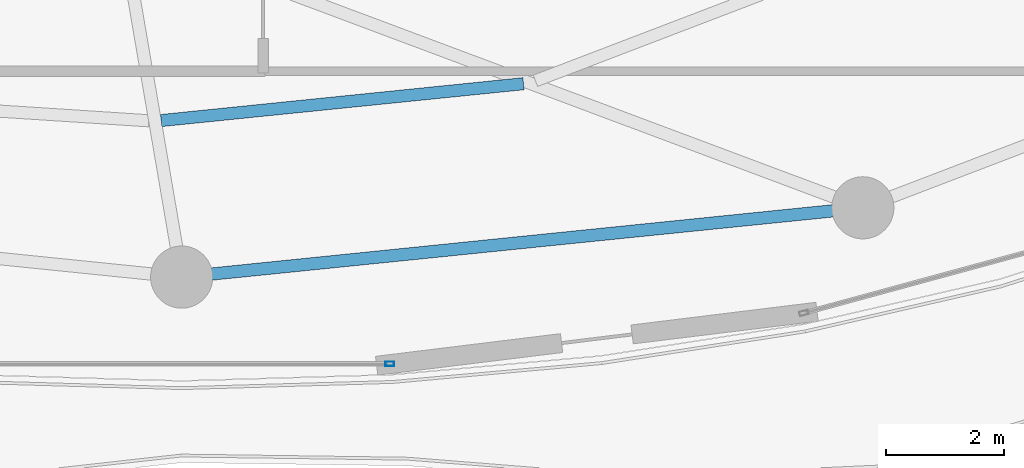
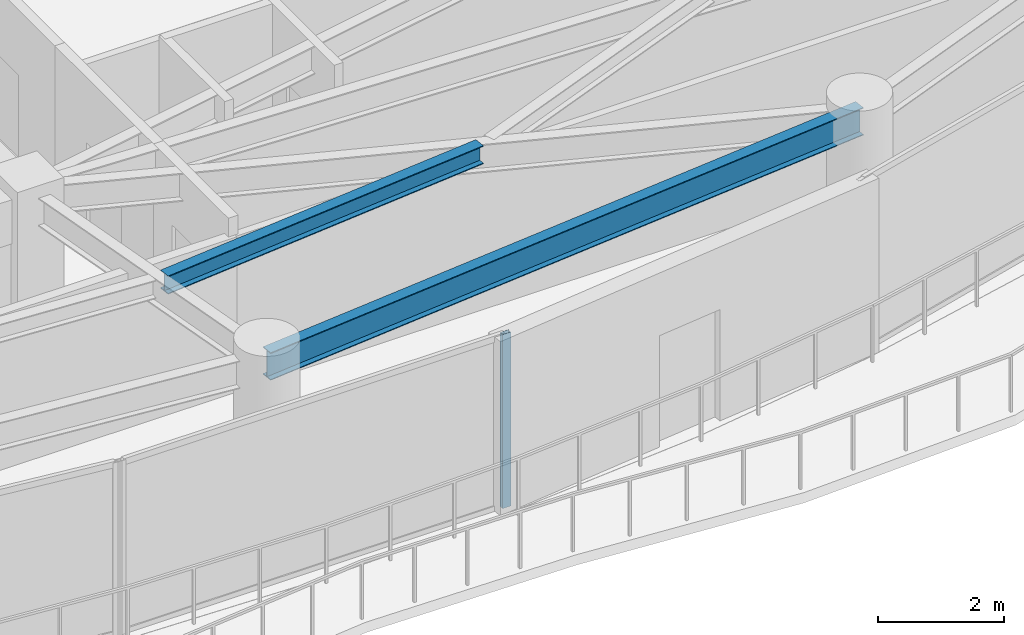
# One storey, part 9 of 29: 2 beams, 1 member, 1 element without a shape of its own.
"""IFC4 building model written with IfcOpenShell, lengths in metres."""

from ifc_helpers import new_model, si_unit, direction, frame, origin, origin_2d, place, context, subcontext, project, spatial, hollow_rectangle, i_section, extrude, material, layer, layer_set, material_profile, profile_set, type_object, element, aggregate, save


model = new_model("IFC4")

# Units and contexts
model_context = context("Model", 3, precision=1e-05, world=origin(), true_north=direction((0.0, 1.0)))
body_context = subcontext(model_context, "Body", "Model", "MODEL_VIEW")
ifc_project = project(units=[si_unit("LENGTHUNIT", "METRE"), si_unit("AREAUNIT", "SQUARE_METRE"), si_unit("VOLUMEUNIT", "CUBIC_METRE"), si_unit("PLANEANGLEUNIT", "RADIAN"), si_unit("MASSUNIT", "GRAM", prefix="KILO")], contexts=[model_context])

# Site, building, storey
site_placement = place(None, origin())
site = spatial("IfcSite", under=ifc_project, at=site_placement, CompositionType="ELEMENT")
building_placement = place(site_placement, origin())
building = spatial("IfcBuilding", under=site, at=building_placement, Name="Kazevale Care Tower and Concert Hall", CompositionType="ELEMENT")
storey_placement = place(building_placement, frame((0.0, 0.0, 213.60009765625)))
storey = spatial("IfcBuildingStorey", under=building, at=storey_placement, Name="L56", CompositionType="ELEMENT", Elevation=213.60009765625)

# Curtain wall, member
ifc_material_1 = material(Name="Aluminium 6063-T6 and Low-E Glass", Category="aluminium")
ifc_layer = layer(ifc_material_1, 0.179931640625)
ifc_layer_set = layer_set([ifc_layer], Name="Aluminium 6063-T6 and Low-E Glass")
curtain_wall_type = type_object("IfcCurtainWallType", Name="Sheltered Concave Balcony Curtain Wall CW-5", PredefinedType="NOTDEFINED", material=ifc_layer_set)
curtain_wall_placement = place(storey_placement, origin())
curtain_wall = element("IfcCurtainWall", 1, at=curtain_wall_placement, inside=storey, type_object=curtain_wall_type, Name="cw:L56:f06", PredefinedType="NOTDEFINED")
ifc_material_2 = material(Name="Aluminium 6063-T6", Category="aluminium")
ifc_material_profile_1 = material_profile(ifc_material_2, hollow_rectangle(XDim=0.074951171875, YDim=0.14990234375, WallThickness=0.00390625, at=origin_2d()), Name="ALU75x150x4")
ifc_profile_set_1 = profile_set([ifc_material_profile_1], Name="Aluminium 6063-T6")
member_type = type_object("IfcMemberType", Name="CW-5 Mullion ALU75x150x4", PredefinedType="MULLION", material=ifc_profile_set_1)
member_placement = place(storey_placement, frame((48.512451171875, 16.284912109375, 0.0), z_axis=(0.0, 0.0, 1.0), x_axis=(0.0, -1.0, 0.0)))
member = element("IfcMember", 2, at=member_placement, type_object=member_type, Name="CW-5 mullion 1", PredefinedType="MULLION", context=body_context, shape_type="SweptSolid", body=[
    extrude(hollow_rectangle(XDim=0.074951171875, YDim=0.14990234375, WallThickness=0.00390625, at=origin_2d()), origin(), (0.0, 0.0, 1.0), 3.35986328125),
])
aggregate(curtain_wall, [member])

# Beams
ifc_material_3 = material(Name="Steel ASTM A572 Gr 50", Category="steel")
ifc_material_profile_2 = material_profile(ifc_material_3, i_section(OverallWidth=0.205078125, OverallDepth=0.35400390625, WebThickness=0.009521484375, FlangeThickness=0.016845703125, at=origin_2d()), Name="W360x79")
ifc_profile_set_2 = profile_set([ifc_material_profile_2], Name="Steel ASTM A572 Gr 50")
beam_type_1 = type_object("IfcBeamType", Name="Secondary Floor Joist W360x79", PredefinedType="JOIST", material=ifc_profile_set_2)
beam_1_placement = place(storey_placement, frame((44.654052734375, 20.39306640625, 3.182861328125), z_axis=(0.994872697807, 0.10113513316, 0.0), x_axis=(-0.10113513316, 0.994872697807, 0.0)))
element("IfcBeam", 3, at=beam_1_placement, inside=storey, type_object=beam_type_1, Name="beam:L56:joist:13", PredefinedType="JOIST", context=body_context, shape_type="SweptSolid", body=[
    extrude(i_section(OverallWidth=0.205078125, OverallDepth=0.35400390625, WebThickness=0.009521484375, FlangeThickness=0.016845703125, at=origin_2d()), origin(), (0.0, 0.0, 1.0), 6.1484375),
])
ifc_material_profile_3 = material_profile(ifc_material_3, i_section(OverallWidth=0.208984375, OverallDepth=0.532958984375, WebThickness=0.01025390625, FlangeThickness=0.015625, at=origin_2d()), Name="W530x92")
ifc_profile_set_3 = profile_set([ifc_material_profile_3], Name="Steel ASTM A572 Gr 50")
beam_type_2 = type_object("IfcBeamType", Name="Upper Ring Beam W530x92", PredefinedType="BEAM", material=ifc_profile_set_3)
beam_2_placement = place(storey_placement, frame((45.0, 17.75, 3.093505859375), z_axis=(0.994865089307, 0.101209950492, 0.0), x_axis=(-0.101209950492, 0.994865089307, 0.0)))
element("IfcBeam", 4, at=beam_2_placement, inside=storey, type_object=beam_type_2, Name="beam:L56:ring:13", PredefinedType="BEAM", context=body_context, shape_type="SweptSolid", body=[
    extrude(i_section(OverallWidth=0.208984375, OverallDepth=0.532958984375, WebThickness=0.01025390625, FlangeThickness=0.015625, at=origin_2d()), origin(), (0.0, 0.0, 1.0), 11.559326171875),
])

save(model, "model.ifc")
